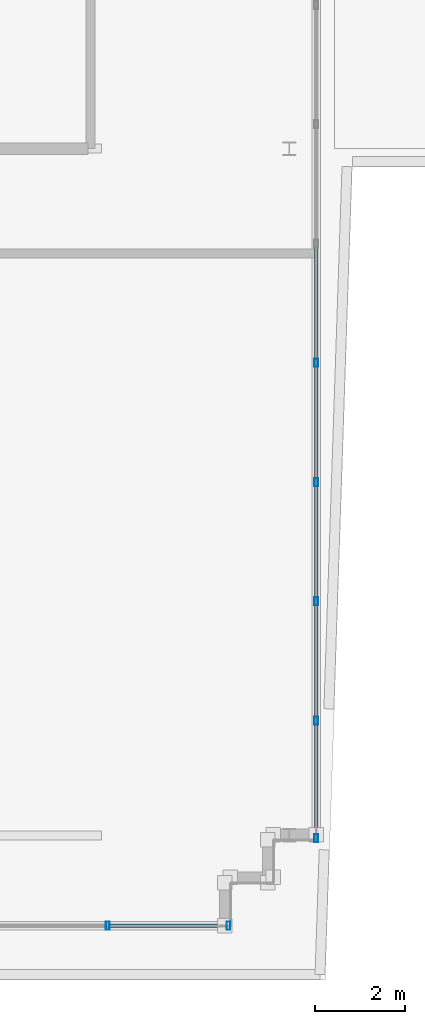
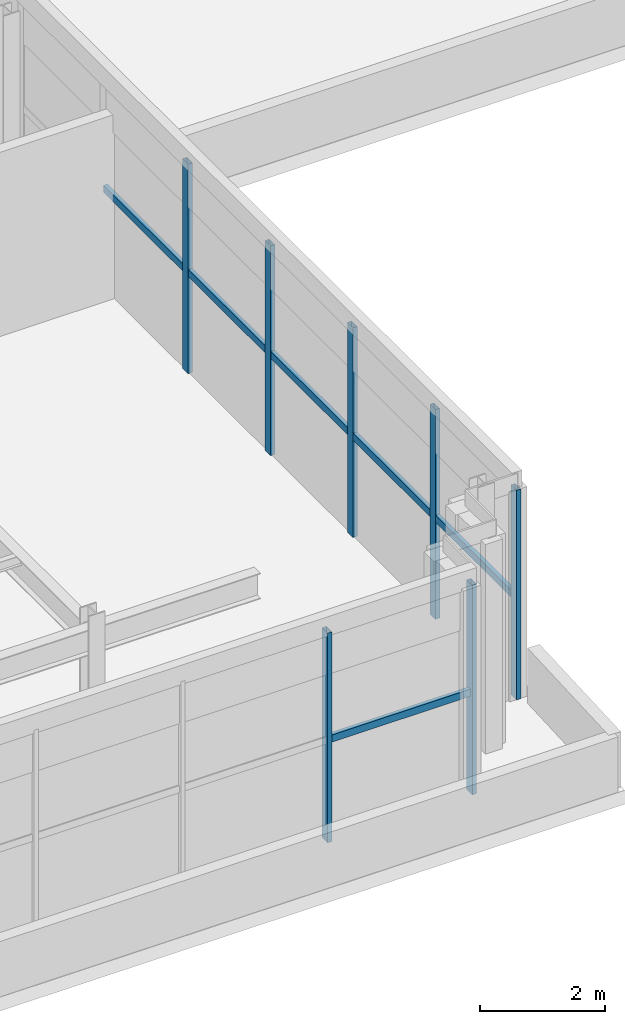
# One storey, part 7 of 31: 13 members, 2 elements without a shape of their own.
"""IFC4 building model written with IfcOpenShell, lengths in metres."""

import ifcopenshell
import ifcopenshell.guid

model = None  # the IFC model being written
_history = None  # IfcOwnerHistory: only IFC2X3 demands one
_inside = {}  # id of a spatial element -> (the spatial element, [elements in it])
_under = {}  # id of a project, library or spatial element -> (it, [spatial elements below it])
_declared = {}  # id of a project -> (the project, [libraries it declares])
_typed = {}  # id of a type object -> (the type object, [elements of that type])
_made_of = {}  # id of a material, layer set ... -> (it, [elements and type objects made of it])


def new_model(schema):
    """Start an empty IFC model of exactly this schema.

    Asked for "IFC4X3", IfcOpenShell would pick the latest addendum, in which some entities
    have other attributes; the version numbers below select the first issue.
    IFC2X3 requires an IfcOwnerHistory on every rooted entity: one is made here for all.
    """
    global model, _history
    if schema == "IFC4X3":
        model = ifcopenshell.file(schema_version=(4, 3, 0, 0))
    else:
        model = ifcopenshell.file(schema=schema)
    _inside.clear()
    _under.clear()
    _declared.clear()
    _typed.clear()
    _made_of.clear()
    _history = None
    if model.schema == "IFC2X3":
        org = make("IfcOrganization", Name="unknown")
        user = make(
            "IfcPersonAndOrganization",
            ThePerson=make("IfcPerson", FamilyName="unknown"),
            TheOrganization=org,
        )
        app = make(
            "IfcApplication",
            ApplicationDeveloper=org,
            Version="unknown",
            ApplicationFullName="unknown",
            ApplicationIdentifier="unknown",
        )
        _history = make(
            "IfcOwnerHistory",
            OwningUser=user,
            OwningApplication=app,
            ChangeAction="ADDED",
            CreationDate=0,
        )
    return model


def make(cls, **values):
    """One entity of the class cls with the attributes given. An attribute that is None is left unset."""
    return model.create_entity(
        cls, **{name: value for name, value in values.items() if value is not None}
    )


def rooted(cls, **values):
    """An entity with a GlobalId (a new one), such as an element, a storey or a relation."""
    return make(cls, GlobalId=ifcopenshell.guid.new(), OwnerHistory=_history, **values)


def si_unit(unit_type, name, prefix=None):
    """IfcSIUnit, for example si_unit("LENGTHUNIT", "METRE", prefix="MILLI")."""
    return make("IfcSIUnit", UnitType=unit_type, Prefix=prefix, Name=name)


def assignment(units):
    """IfcUnitAssignment: the units of a project."""
    return None if units is None else make("IfcUnitAssignment", Units=units)


def point(xyz):
    """IfcCartesianPoint."""
    return None if xyz is None else make("IfcCartesianPoint", Coordinates=xyz)


def direction(xyz):
    """IfcDirection."""
    return None if xyz is None else make("IfcDirection", DirectionRatios=xyz)


def frame(location, z_axis=None, x_axis=None):
    """IfcAxis2Placement3D, a coordinate frame: its origin and axes. An axis left out is left unset."""
    return make(
        "IfcAxis2Placement3D",
        Location=point(location),
        Axis=direction(z_axis),
        RefDirection=direction(x_axis),
    )


def frame_2d(location, x_axis=None):
    """IfcAxis2Placement2D, a coordinate frame in the plane: its origin and x axis."""
    return make(
        "IfcAxis2Placement2D", Location=point(location), RefDirection=direction(x_axis)
    )


def origin():
    """The frame at (0, 0, 0) with its axes left unset."""
    return frame((0.0, 0.0, 0.0))


def origin_2d():
    """The frame at (0, 0) in the plane with its x axis left unset."""
    return frame_2d((0.0, 0.0))


def place(relative_to, where):
    """IfcLocalPlacement: puts the frame where relative to a parent placement (None: the world)."""
    return make(
        "IfcLocalPlacement", PlacementRelTo=relative_to, RelativePlacement=where
    )


def context(
    kind, dimensions, precision=None, world=None, true_north=None, identifier=None
):
    """IfcGeometricRepresentationContext, for example the 3D "Model" context."""
    return make(
        "IfcGeometricRepresentationContext",
        ContextIdentifier=identifier,
        ContextType=kind,
        CoordinateSpaceDimension=dimensions,
        Precision=precision,
        WorldCoordinateSystem=world,
        TrueNorth=true_north,
    )


def subcontext(parent, identifier, kind, view, scale=None):
    """IfcGeometricRepresentationSubContext, for example "Body" below "Model"."""
    return make(
        "IfcGeometricRepresentationSubContext",
        ContextIdentifier=identifier,
        ContextType=kind,
        ParentContext=parent,
        TargetScale=scale,
        TargetView=view,
    )


def project(units=None, contexts=None):
    """IfcProject with its units and contexts."""
    return rooted(
        "IfcProject",
        Name="project",
        RepresentationContexts=contexts,
        UnitsInContext=assignment(units),
    )


def spatial(cls, under=None, at=None, **own):
    """A site, building, storey or space (cls), placed at a placement, below another one or the project."""
    s = rooted(cls, ObjectPlacement=at, **own)
    if under is not None:
        _under.setdefault(under.id(), (under, []))[1].append(s)
    return s


def profile(cls, at=None, kind="AREA", **sizes):
    """A parametric profile (cls). Its sizes go by their IFC names, for example OverallWidth=200.0."""
    return make(cls, ProfileType=kind, Position=at, **sizes)


def hollow_rectangle(**sizes):
    """IfcRectangleHollowProfileDef."""
    return profile("IfcRectangleHollowProfileDef", **sizes)


def extrude(swept, where, along, depth):
    """IfcExtrudedAreaSolid: the profile swept, set in the frame where, extruded along a direction by depth."""
    return make(
        "IfcExtrudedAreaSolid",
        SweptArea=swept,
        Position=where,
        ExtrudedDirection=direction(along),
        Depth=depth,
    )


def shape(context_of_items, identifier, shape_type, items):
    """IfcShapeRepresentation: the items that make up one representation, for example the "Body"."""
    return make(
        "IfcShapeRepresentation",
        ContextOfItems=context_of_items,
        RepresentationIdentifier=identifier,
        RepresentationType=shape_type,
        Items=items,
    )


def source(mapping_origin, context_of_items, identifier, shape_type, items):
    """IfcRepresentationMap: a shape defined once, which mapped items show again and again."""
    return make(
        "IfcRepresentationMap",
        MappingOrigin=mapping_origin,
        MappedRepresentation=shape(context_of_items, identifier, shape_type, items),
    )


def transform(
    local_origin,
    x_axis=None,
    y_axis=None,
    z_axis=None,
    scale=None,
    scale2=None,
    scale3=None,
    uniform=True,
):
    """IfcCartesianTransformationOperator3D, or its non-uniform kind. x_axis, y_axis, z_axis: its Axis1, 2, 3."""
    if uniform:
        return make(
            "IfcCartesianTransformationOperator3D",
            Axis1=direction(x_axis),
            Axis2=direction(y_axis),
            LocalOrigin=point(local_origin),
            Scale=scale,
            Axis3=direction(z_axis),
        )
    return make(
        "IfcCartesianTransformationOperator3DnonUniform",
        Axis1=direction(x_axis),
        Axis2=direction(y_axis),
        LocalOrigin=point(local_origin),
        Scale=scale,
        Axis3=direction(z_axis),
        Scale2=scale2,
        Scale3=scale3,
    )


def mapped(mapping_source, mapping_target):
    """IfcMappedItem: shows the shape of a source again, moved by a transform."""
    return make(
        "IfcMappedItem", MappingSource=mapping_source, MappingTarget=mapping_target
    )


def material(Name=None, Category=None):
    """IfcMaterial."""
    return make("IfcMaterial", Name=Name, Category=Category)


def material_profile(
    of_material, cross_section, Name=None, Category=None, Priority=None
):
    """IfcMaterialProfile: a cross section and its material."""
    return make(
        "IfcMaterialProfile",
        Name=Name,
        Material=of_material,
        Profile=cross_section,
        Priority=Priority,
        Category=Category,
    )


def profile_set(profiles, Name=None, composite=None):
    """IfcMaterialProfileSet."""
    return make(
        "IfcMaterialProfileSet",
        Name=Name,
        MaterialProfiles=profiles,
        CompositeProfile=composite,
    )


def made_of(thing, what):
    """Note that an element or type object is made of a material, layer set ...; save() writes the relation."""
    if what is not None:
        _made_of.setdefault(what.id(), (what, []))[1].append(thing)
    return thing


def type_object(cls, material=None, **own):
    """A type object (cls), such as IfcWallType, which elements share."""
    return made_of(rooted(cls, **own), material)


def element(
    cls,
    number,
    at=None,
    inside=None,
    cuts=None,
    type_object=None,
    material=None,
    context=None,
    identifier="Body",
    shape_type=None,
    held_by="IfcProductDefinitionShape",
    body=None,
    shapes=None,
    **own,
):
    """One element of the class cls, such as IfcWall. Its Tag is "e" and its number.

    at: its placement. inside: the storey or other place that contains it. cuts: it is an
    opening in that element (IfcRelVoidsElement). A single representation is given by context,
    identifier, shape_type and body (its items); several are given by shapes. held_by: the class
    of the entity that holds the representations. save() writes the other relations.
    """
    e = rooted(cls, Tag="e%d" % number, ObjectPlacement=at, **own)
    if body is not None:
        shapes = [shape(context, identifier, shape_type, body)]
    if shapes is not None:
        e.Representation = make(held_by, Representations=shapes)
    if inside is not None:
        _inside.setdefault(inside.id(), (inside, []))[1].append(e)
    if cuts is not None:
        rooted(
            "IfcRelVoidsElement", RelatingBuildingElement=cuts, RelatedOpeningElement=e
        )
    if type_object is not None:
        _typed.setdefault(type_object.id(), (type_object, []))[1].append(e)
    return made_of(e, material)


def aggregate(whole, parts):
    """IfcRelAggregates: a whole, such as a stair, and the parts it consists of."""
    return rooted("IfcRelAggregates", RelatingObject=whole, RelatedObjects=parts)


def save(model, path):
    """Write the relations noted so far, then the file.

    IfcRelAggregates (storeys below a building ...), IfcRelContainedInSpatialStructure (elements
    in a storey), IfcRelDefinesByType, IfcRelAssociatesMaterial and IfcRelDeclares: one each for
    every whole, place, type object, material and project.
    """
    for whole, parts in _under.values():
        aggregate(whole, parts)
    for where, things in _inside.values():
        rooted(
            "IfcRelContainedInSpatialStructure",
            RelatedElements=things,
            RelatingStructure=where,
        )
    for kind, things in _typed.values():
        rooted("IfcRelDefinesByType", RelatedObjects=things, RelatingType=kind)
    for what, things in _made_of.values():
        rooted("IfcRelAssociatesMaterial", RelatedObjects=things, RelatingMaterial=what)
    for by, libraries in _declared.values():
        rooted("IfcRelDeclares", RelatingContext=by, RelatedDefinitions=libraries)
    model.write(path)


model = new_model("IFC4")

# Units and contexts
model_context = context("Model", 3, precision=1e-05, world=origin(), true_north=direction((0.0, 1.0)))
body_context = subcontext(model_context, "Body", "Model", "MODEL_VIEW")
ifc_project = project(units=[si_unit("LENGTHUNIT", "METRE"), si_unit("AREAUNIT", "SQUARE_METRE"), si_unit("VOLUMEUNIT", "CUBIC_METRE"), si_unit("PLANEANGLEUNIT", "RADIAN"), si_unit("MASSUNIT", "GRAM", prefix="KILO")], contexts=[model_context])

# Site, building, storey
site_placement = place(None, origin())
site = spatial("IfcSite", under=ifc_project, at=site_placement, CompositionType="ELEMENT")
building_placement = place(site_placement, origin())
building = spatial("IfcBuilding", under=site, at=building_placement, Name="Trelvane Seafront Commons", CompositionType="ELEMENT")
storey_placement = place(building_placement, frame((0.0, 0.0, 307.89990234375)))
storey = spatial("IfcBuildingStorey", under=building, at=storey_placement, Name="L80", CompositionType="ELEMENT", Elevation=307.89990234375)

# Curtain wall, members
ifc_material = material(Name="Anodised pale-silver aluminium", Category="aluminium")
curtain_wall_type = type_object("IfcCurtainWallType", Name="ARCH-CW6-CROWN", PredefinedType="NOTDEFINED", material=ifc_material)
curtain_wall_1_placement = place(storey_placement, origin())
curtain_wall_1 = element("IfcCurtainWall", 1, at=curtain_wall_1_placement, inside=storey, type_object=curtain_wall_type, Name="CW-L80-0138", PredefinedType="NOTDEFINED")
ifc_material_profile_1 = material_profile(ifc_material, hollow_rectangle(XDim=0.080078125, YDim=0.179931640625, WallThickness=0.00439453125, at=origin_2d()), Name="MULL-80x180x4.5")
ifc_profile_set_1 = profile_set([ifc_material_profile_1], Name="Anodised pale-silver aluminium")
member_type_1 = type_object("IfcMemberType", Name="ARCH-CW-MULL-180", PredefinedType="MULLION", material=ifc_profile_set_1)
shared_shape_1 = source(origin(), body_context, "Body", "SweptSolid", [
    extrude(hollow_rectangle(XDim=0.080078125, YDim=0.179931640625, WallThickness=0.00439453125, at=origin_2d()), origin(), (0.0, 0.0, 1.0), 4.10009765625),
])
member_1_placement = place(storey_placement, frame((31.199951171875, 28.659912109375, 0.0), z_axis=(0.0, 0.0, 1.0), x_axis=(1.0, 0.0, 0.0)))
member_1 = element("IfcMember", 2, at=member_1_placement, type_object=member_type_1, Name="CW-L80-0138-M06", PredefinedType="MULLION", context=body_context, shape_type="MappedRepresentation", body=[
    mapped(shared_shape_1, transform((0.0, 0.0, 0.0), x_axis=(1.0, 0.0, 0.0), y_axis=(0.0, 1.0, 0.0), z_axis=(0.0, 0.0, 1.0), scale=1.0)),
])
member_2_placement = place(storey_placement, frame((31.199951171875, 26.02001953125, 0.0), z_axis=(0.0, 0.0, 1.0), x_axis=(1.0, 0.0, 0.0)))
member_2 = element("IfcMember", 3, at=member_2_placement, type_object=member_type_1, Name="CW-L80-0138-M07", PredefinedType="MULLION", context=body_context, shape_type="MappedRepresentation", body=[
    mapped(shared_shape_1, transform((0.0, 0.0, 0.0), x_axis=(1.0, 0.0, 0.0), y_axis=(0.0, 1.0, 0.0), z_axis=(0.0, 0.0, 1.0), scale=1.0)),
])
member_3_placement = place(storey_placement, frame((31.199951171875, 23.3798828125, 0.0), z_axis=(0.0, 0.0, 1.0), x_axis=(1.0, 0.0, 0.0)))
member_3 = element("IfcMember", 4, at=member_3_placement, type_object=member_type_1, Name="CW-L80-0138-M08", PredefinedType="MULLION", context=body_context, shape_type="MappedRepresentation", body=[
    mapped(shared_shape_1, transform((0.0, 0.0, 0.0), x_axis=(1.0, 0.0, 0.0), y_axis=(0.0, 1.0, 0.0), z_axis=(0.0, 0.0, 1.0), scale=1.0)),
])
member_4_placement = place(storey_placement, frame((31.199951171875, 20.739990234375, 0.0), z_axis=(0.0, 0.0, 1.0), x_axis=(1.0, 0.0, 0.0)))
member_4 = element("IfcMember", 5, at=member_4_placement, type_object=member_type_1, Name="CW-L80-0138-M09", PredefinedType="MULLION", context=body_context, shape_type="MappedRepresentation", body=[
    mapped(shared_shape_1, transform((0.0, 0.0, 0.0), x_axis=(1.0, 0.0, 0.0), y_axis=(0.0, 1.0, 0.0), z_axis=(0.0, 0.0, 1.0), scale=1.0)),
])
member_5_placement = place(storey_placement, frame((31.199951171875, 18.139892578125, 0.0), z_axis=(0.0, 0.0, 1.0), x_axis=(1.0, 0.0, 0.0)))
member_5 = element("IfcMember", 6, at=member_5_placement, type_object=member_type_1, Name="CW-L80-0138-M10", PredefinedType="MULLION", context=body_context, shape_type="MappedRepresentation", body=[
    mapped(shared_shape_1, transform((0.0, 0.0, 0.0), x_axis=(1.0, 0.0, 0.0), y_axis=(0.0, 1.0, 0.0), z_axis=(0.0, 0.0, 1.0), scale=1.0)),
])

curtain_wall_2_placement = place(storey_placement, origin())
curtain_wall_2 = element("IfcCurtainWall", 7, at=curtain_wall_2_placement, inside=storey, type_object=curtain_wall_type, Name="CW-L80-0139", PredefinedType="NOTDEFINED")
member_6_placement = place(storey_placement, frame((29.260009765625, 16.199951171875, 0.0), z_axis=(0.0, 0.0, 1.0), x_axis=(1.0, 0.0, 0.0)))
member_6 = element("IfcMember", 8, at=member_6_placement, type_object=member_type_1, Name="CW-L80-0139-M00", PredefinedType="MULLION", context=body_context, shape_type="MappedRepresentation", body=[
    mapped(shared_shape_1, transform((0.0, 0.0, 0.0), x_axis=(1.0, 0.0, 0.0), y_axis=(0.0, 1.0, 0.0), z_axis=(0.0, 0.0, 1.0), scale=1.0)),
])
member_7_placement = place(storey_placement, frame((26.585693359375, 16.199951171875, 0.0), z_axis=(0.0, 0.0, 1.0), x_axis=(1.0, 0.0, 0.0)))
member_7 = element("IfcMember", 9, at=member_7_placement, type_object=member_type_1, Name="CW-L80-0139-M01", PredefinedType="MULLION", context=body_context, shape_type="MappedRepresentation", body=[
    mapped(shared_shape_1, transform((0.0, 0.0, 0.0), x_axis=(1.0, 0.0, 0.0), y_axis=(0.0, 1.0, 0.0), z_axis=(0.0, 0.0, 1.0), scale=1.0)),
])

# Member
ifc_material_profile_2 = material_profile(ifc_material, hollow_rectangle(XDim=0.074951171875, YDim=0.139892578125, WallThickness=0.00390625, at=origin_2d()), Name="TRAN-75x140x4")
ifc_profile_set_2 = profile_set([ifc_material_profile_2], Name="Anodised pale-silver aluminium")
member_type_2 = type_object("IfcMemberType", Name="ARCH-CW-TRAN-140", PredefinedType="USERDEFINED", material=ifc_profile_set_2)
shared_shape_2 = source(origin(), body_context, "Body", "SweptSolid", [
    extrude(hollow_rectangle(XDim=0.074951171875, YDim=0.139892578125, WallThickness=0.00390625, at=origin_2d()), origin(), (0.0, 0.0, 1.0), 2.615966796875),
])
member_8_placement = place(storey_placement, frame((31.199951171875, 31.2880859375, 1.968017578125), z_axis=(0.0, -1.0, 0.0), x_axis=(1.0, 0.0, 0.0)))
member_8 = element("IfcMember", 10, at=member_8_placement, type_object=member_type_2, Name="CW-L80-0138-T05", ObjectType="TRANSOM", PredefinedType="USERDEFINED", context=body_context, shape_type="MappedRepresentation", body=[
    mapped(shared_shape_2, transform((0.0, 0.0, 0.0), x_axis=(1.0, 0.0, 0.0), y_axis=(0.0, 1.0, 0.0), z_axis=(0.0, 0.0, 1.0), scale=1.0)),
])

member_9_placement = place(storey_placement, frame((31.199951171875, 28.64794921875, 1.968017578125), z_axis=(0.0, -1.0, 0.0), x_axis=(1.0, 0.0, 0.0)))
member_9 = element("IfcMember", 11, at=member_9_placement, type_object=member_type_2, Name="CW-L80-0138-T06", ObjectType="TRANSOM", PredefinedType="USERDEFINED", context=body_context, shape_type="MappedRepresentation", body=[
    mapped(shared_shape_2, transform((0.0, 0.0, 0.0), x_axis=(1.0, 0.0, 0.0), y_axis=(0.0, 1.0, 0.0), z_axis=(0.0, 0.0, 1.0), scale=1.0)),
])

member_10_placement = place(storey_placement, frame((31.199951171875, 26.008056640625, 1.968017578125), z_axis=(0.0, -1.0, 0.0), x_axis=(1.0, 0.0, 0.0)))
member_10 = element("IfcMember", 12, at=member_10_placement, type_object=member_type_2, Name="CW-L80-0138-T07", ObjectType="TRANSOM", PredefinedType="USERDEFINED", context=body_context, shape_type="MappedRepresentation", body=[
    mapped(shared_shape_2, transform((0.0, 0.0, 0.0), x_axis=(1.0, 0.0, 0.0), y_axis=(0.0, 1.0, 0.0), z_axis=(0.0, 0.0, 1.0), scale=1.0)),
])

member_11_placement = place(storey_placement, frame((31.199951171875, 23.367919921875, 1.968017578125), z_axis=(0.0, -1.0, 0.0), x_axis=(1.0, 0.0, 0.0)))
member_11 = element("IfcMember", 13, at=member_11_placement, type_object=member_type_2, Name="CW-L80-0138-T08", ObjectType="TRANSOM", PredefinedType="USERDEFINED", context=body_context, shape_type="MappedRepresentation", body=[
    mapped(shared_shape_2, transform((0.0, 0.0, 0.0), x_axis=(1.0, 0.0, 0.0), y_axis=(0.0, 1.0, 0.0), z_axis=(0.0, 0.0, 1.0), scale=1.0)),
])

member_12_placement = place(storey_placement, frame((31.199951171875, 20.72802734375, 1.968017578125), z_axis=(0.0, -1.0, 0.0), x_axis=(1.0, 0.0, 0.0)))
member_12 = element("IfcMember", 14, at=member_12_placement, type_object=member_type_2, Name="CW-L80-0138-T09", ObjectType="TRANSOM", PredefinedType="USERDEFINED", context=body_context, shape_type="MappedRepresentation", body=[
    mapped(shared_shape_2, transform((0.0, 0.0, 0.0), x_axis=(1.0, 0.0, 0.0), y_axis=(0.0, 1.0, 0.0), z_axis=(0.0, 0.0, 1.0), scale=1.0)),
])

aggregate(curtain_wall_1, [member_1, member_2, member_3, member_4, member_5, member_8, member_9, member_10, member_11, member_12])

shared_shape_3 = source(origin(), body_context, "Body", "SweptSolid", [
    extrude(hollow_rectangle(XDim=0.074951171875, YDim=0.139892578125, WallThickness=0.00390625, at=origin_2d()), origin(), (0.0, 0.0, 1.0), 2.6904296875),
])
member_13_placement = place(storey_placement, frame((29.2880859375, 16.199951171875, 1.968017578125), z_axis=(-1.0, 0.0, 0.0), x_axis=(0.0, -1.0, 0.0)))
member_13 = element("IfcMember", 15, at=member_13_placement, type_object=member_type_2, Name="CW-L80-0139-T00", ObjectType="TRANSOM", PredefinedType="USERDEFINED", context=body_context, shape_type="MappedRepresentation", body=[
    mapped(shared_shape_3, transform((0.0, 0.0, 0.0), x_axis=(1.0, 0.0, 0.0), y_axis=(0.0, 1.0, 0.0), z_axis=(0.0, 0.0, 1.0), scale=1.0)),
])

aggregate(curtain_wall_2, [member_6, member_7, member_13])

save(model, "model.ifc")
